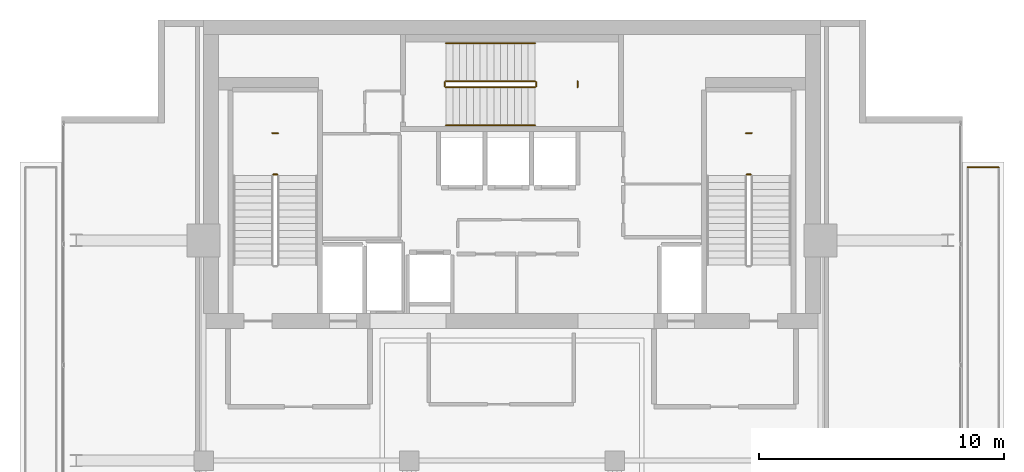
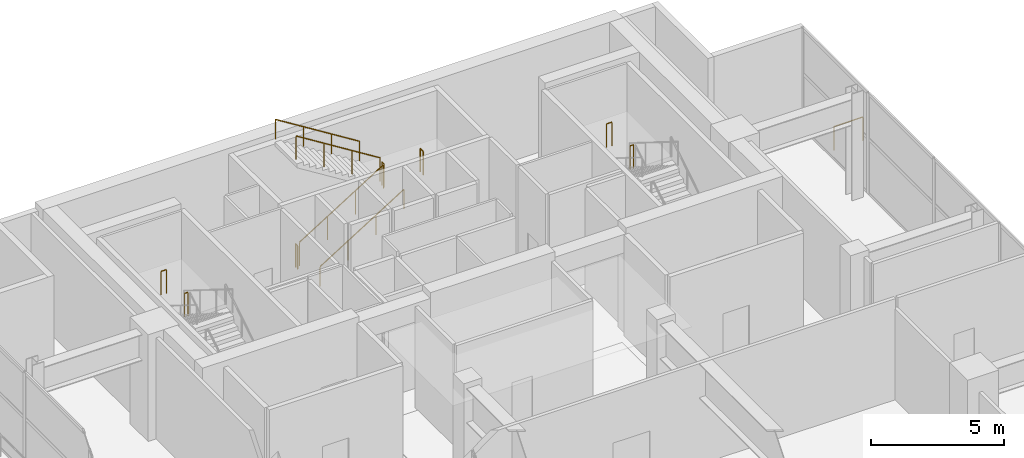
# One storey, part 22 of 22: 12 railings.
"""IFC4 building model written with IfcOpenShell, lengths in metres."""

from ifc_helpers import new_model, si_unit, direction, frame, origin, origin_2d, place, context, subcontext, project, spatial, circle, extrude, material, type_object, element, save


model = new_model("IFC4")

# Units and contexts
model_context = context("Model", 3, precision=1e-05, world=origin(), true_north=direction((0.0, 1.0)))
body_context = subcontext(model_context, "Body", "Model", "MODEL_VIEW")
ifc_project = project(units=[si_unit("LENGTHUNIT", "METRE"), si_unit("AREAUNIT", "SQUARE_METRE"), si_unit("VOLUMEUNIT", "CUBIC_METRE"), si_unit("PLANEANGLEUNIT", "RADIAN"), si_unit("MASSUNIT", "GRAM", prefix="KILO")], contexts=[model_context])

# Site, building, storey
site_placement = place(None, origin())
site = spatial("IfcSite", under=ifc_project, at=site_placement, CompositionType="ELEMENT")
building_placement = place(site_placement, origin())
building = spatial("IfcBuilding", under=site, at=building_placement, Name="Maruvema Waterfront Hotel and Observation Tower", CompositionType="ELEMENT")
storey_placement = place(building_placement, frame((0.0, 0.0, 354.199951171875)))
storey = spatial("IfcBuildingStorey", under=building, at=storey_placement, Name="L87", CompositionType="ELEMENT", Elevation=354.199951171875)

# Railings
ifc_material_1 = material(Name="Brushed stainless steel Grade 316", Category="steel")
railing_type_1 = type_object("IfcRailingType", Name="Ramp Continuous Wall Handrail 920 mm", PredefinedType="HANDRAIL", material=ifc_material_1)
railing_1_placement = place(storey_placement, frame((35.10009765625, 49.699951171875, 0.175048828125)))
element("IfcRailing", 1, at=railing_1_placement, inside=storey, type_object=railing_type_1, Name="L87 ST-02 stair handrail 1", PredefinedType="HANDRAIL", context=body_context, shape_type="SweptSolid", body=[
    extrude(circle(Radius=0.02392578125, at=origin_2d()), frame((0.0, 0.0, 0.89599609375), z_axis=(0.848001499411, 0.0, 0.52999382732), x_axis=(0.0, 1.0, 0.0)), (0.0, 0.0, 1.0), 4.292236328125),
    extrude(circle(Radius=0.02099609375, at=origin_2d()), origin(), (0.0, 0.0, 1.0), 0.871826171875),
    extrude(circle(Radius=0.02099609375, at=origin_2d()), frame((1.21337890625, 0.0, 0.75830078125)), (0.0, 0.0, 1.0), 0.871826171875),
    extrude(circle(Radius=0.02099609375, at=origin_2d()), frame((2.426513671875, 0.0, 1.5166015625)), (0.0, 0.0, 1.0), 0.871826171875),
    extrude(circle(Radius=0.02099609375, at=origin_2d()), frame((3.639892578125, 0.0, 2.27490234375)), (0.0, 0.0, 1.0), 0.871826171875),
])
railing_2_placement = place(storey_placement, frame((38.739990234375, 53.050048828125, 2.625)))
element("IfcRailing", 2, at=railing_2_placement, inside=storey, type_object=railing_type_1, Name="L87 ST-02 stair handrail 2", PredefinedType="HANDRAIL", context=body_context, shape_type="SweptSolid", body=[
    extrude(circle(Radius=0.02392578125, at=origin_2d()), frame((0.0, 0.0, 0.89599609375), z_axis=(-0.847975935976, 0.0, 0.530034727169), x_axis=(0.0, -1.0, 0.0)), (0.0, 0.0, 1.0), 4.29248046875),
    extrude(circle(Radius=0.02099609375, at=origin_2d()), origin(), (0.0, 0.0, 1.0), 0.871826171875),
    extrude(circle(Radius=0.02099609375, at=origin_2d()), frame((-1.21337890625, 0.0, 0.75830078125)), (0.0, 0.0, 1.0), 0.871826171875),
    extrude(circle(Radius=0.02099609375, at=origin_2d()), frame((-2.426513671875, 0.0, 1.516845703125)), (0.0, 0.0, 1.0), 0.871826171875),
    extrude(circle(Radius=0.02099609375, at=origin_2d()), frame((-3.639892578125, 0.0, 2.275146484375)), (0.0, 0.0, 1.0), 0.871826171875),
])
ifc_material_2 = material(Name="Brushed stainless steel Grade 316", Category="steel")
railing_type_2 = type_object("IfcRailingType", Name="Ramp and Terrace Guard Balustrade 1100 mm", PredefinedType="BALUSTRADE", material=ifc_material_2)
railing_3_placement = place(storey_placement, frame((28.199951171875, 47.68994140625, 2.449951171875)))
element("IfcRailing", 3, at=railing_3_placement, inside=storey, type_object=railing_type_2, Name="L87 ST-01 stair guard 2", PredefinedType="BALUSTRADE", context=body_context, shape_type="SweptSolid", body=[
    extrude(circle(Radius=0.02392578125, at=origin_2d()), frame((0.0, 0.0, 1.076171875), z_axis=(-1.0, 0.0, 0.0), x_axis=(0.0, -1.0, 0.0)), (0.0, 0.0, 1.0), 0.14990234375),
    extrude(circle(Radius=0.02099609375, at=origin_2d()), origin(), (0.0, 0.0, 1.0), 1.052001953125),
    extrude(circle(Radius=0.02099609375, at=origin_2d()), frame((-0.14990234375, 0.0, 0.0)), (0.0, 0.0, 1.0), 1.052001953125),
])
railing_4_placement = place(storey_placement, frame((28.239990234375, 49.3798828125, 2.449951171875)))
element("IfcRailing", 4, at=railing_4_placement, inside=storey, type_object=railing_type_2, Name="L87 ST-01 Half-Landing Slot Guard", PredefinedType="BALUSTRADE", context=body_context, shape_type="SweptSolid", body=[
    extrude(circle(Radius=0.02392578125, at=origin_2d()), frame((0.0, 0.0, 1.076171875), z_axis=(-1.0, 0.0, 0.0), x_axis=(0.0, -1.0, 0.0)), (0.0, 0.0, 1.0), 0.22998046875),
    extrude(circle(Radius=0.02099609375, at=origin_2d()), origin(), (0.0, 0.0, 1.0), 1.052001953125),
    extrude(circle(Radius=0.02099609375, at=origin_2d()), frame((-0.22998046875, 0.0, 0.0)), (0.0, 0.0, 1.0), 1.052001953125),
])
railing_5_placement = place(storey_placement, frame((35.10009765625, 51.25, 0.175048828125)))
element("IfcRailing", 5, at=railing_5_placement, inside=storey, type_object=railing_type_2, Name="L87 ST-02 stair guard 1", PredefinedType="BALUSTRADE", context=body_context, shape_type="SweptSolid", body=[
    extrude(circle(Radius=0.02392578125, at=origin_2d()), frame((0.0, 0.0, 1.076171875), z_axis=(0.848001499411, 0.0, 0.52999382732), x_axis=(0.0, 1.0, 0.0)), (0.0, 0.0, 1.0), 4.292236328125),
    extrude(circle(Radius=0.02099609375, at=origin_2d()), origin(), (0.0, 0.0, 1.0), 1.052001953125),
    extrude(circle(Radius=0.02099609375, at=origin_2d()), frame((1.21337890625, 0.0, 0.75830078125)), (0.0, 0.0, 1.0), 1.052001953125),
    extrude(circle(Radius=0.02099609375, at=origin_2d()), frame((2.426513671875, 0.0, 1.5166015625)), (0.0, 0.0, 1.0), 1.052001953125),
    extrude(circle(Radius=0.02099609375, at=origin_2d()), frame((3.639892578125, 0.0, 2.27490234375)), (0.0, 0.0, 1.0), 1.052001953125),
])
railing_6_placement = place(storey_placement, frame((38.7900390625, 51.300048828125, 2.449951171875)))
element("IfcRailing", 6, at=railing_6_placement, inside=storey, type_object=railing_type_2, Name="L87 ST-02 stair guard 2", PredefinedType="BALUSTRADE", context=body_context, shape_type="SweptSolid", body=[
    extrude(circle(Radius=0.02392578125, at=origin_2d()), frame((0.0, 0.0, 1.076171875), z_axis=(0.0, 1.0, 0.0), x_axis=(-1.0, 0.0, 0.0)), (0.0, 0.0, 1.0), 0.14990234375),
    extrude(circle(Radius=0.02099609375, at=origin_2d()), origin(), (0.0, 0.0, 1.0), 1.052001953125),
    extrude(circle(Radius=0.02099609375, at=origin_2d()), frame((0.0, 0.14990234375, 0.0)), (0.0, 0.0, 1.0), 1.052001953125),
])
railing_7_placement = place(storey_placement, frame((38.739990234375, 51.5, 2.625)))
element("IfcRailing", 7, at=railing_7_placement, inside=storey, type_object=railing_type_2, Name="L87 ST-02 stair guard 3", PredefinedType="BALUSTRADE", context=body_context, shape_type="SweptSolid", body=[
    extrude(circle(Radius=0.02392578125, at=origin_2d()), frame((0.0, 0.0, 1.076171875), z_axis=(-0.847975935976, 0.0, 0.530034727169), x_axis=(0.0, -1.0, 0.0)), (0.0, 0.0, 1.0), 4.29248046875),
    extrude(circle(Radius=0.02099609375, at=origin_2d()), origin(), (0.0, 0.0, 1.0), 1.052001953125),
    extrude(circle(Radius=0.02099609375, at=origin_2d()), frame((-1.21337890625, 0.0, 0.75830078125)), (0.0, 0.0, 1.0), 1.052001953125),
    extrude(circle(Radius=0.02099609375, at=origin_2d()), frame((-2.426513671875, 0.0, 1.516845703125)), (0.0, 0.0, 1.0), 1.052001953125),
    extrude(circle(Radius=0.02099609375, at=origin_2d()), frame((-3.639892578125, 0.0, 2.275146484375)), (0.0, 0.0, 1.0), 1.052001953125),
])
railing_8_placement = place(storey_placement, frame((35.050048828125, 51.300048828125, 0.0)))
element("IfcRailing", 8, at=railing_8_placement, inside=storey, type_object=railing_type_2, Name="L87 ST-02 stair guard 4", PredefinedType="BALUSTRADE", context=body_context, shape_type="SweptSolid", body=[
    extrude(circle(Radius=0.02392578125, at=origin_2d()), frame((0.0, 0.0, 1.076171875), z_axis=(0.0, 1.0, 0.0), x_axis=(-1.0, 0.0, 0.0)), (0.0, 0.0, 1.0), 0.14990234375),
    extrude(circle(Radius=0.02099609375, at=origin_2d()), origin(), (0.0, 0.0, 1.0), 1.052001953125),
    extrude(circle(Radius=0.02099609375, at=origin_2d()), frame((0.0, 0.14990234375, 0.0)), (0.0, 0.0, 1.0), 1.052001953125),
])
railing_9_placement = place(storey_placement, frame((40.47998046875, 51.260009765625, 2.449951171875)))
element("IfcRailing", 9, at=railing_9_placement, inside=storey, type_object=railing_type_2, Name="L87 ST-02 Half-Landing Slot Guard", PredefinedType="BALUSTRADE", context=body_context, shape_type="SweptSolid", body=[
    extrude(circle(Radius=0.02392578125, at=origin_2d()), frame((0.0, 0.0, 1.076171875), z_axis=(0.0, 1.0, 0.0), x_axis=(-1.0, 0.0, 0.0)), (0.0, 0.0, 1.0), 0.22998046875),
    extrude(circle(Radius=0.02099609375, at=origin_2d()), origin(), (0.0, 0.0, 1.0), 1.052001953125),
    extrude(circle(Radius=0.02099609375, at=origin_2d()), frame((0.0, 0.22998046875, 0.0)), (0.0, 0.0, 1.0), 1.052001953125),
])
railing_10_placement = place(storey_placement, frame((47.550048828125, 47.68994140625, 2.449951171875)))
element("IfcRailing", 10, at=railing_10_placement, inside=storey, type_object=railing_type_2, Name="L87 ST-03 stair guard 2", PredefinedType="BALUSTRADE", context=body_context, shape_type="SweptSolid", body=[
    extrude(circle(Radius=0.02392578125, at=origin_2d()), frame((0.0, 0.0, 1.076171875), z_axis=(-1.0, 0.0, 0.0), x_axis=(0.0, -1.0, 0.0)), (0.0, 0.0, 1.0), 0.150146484375),
    extrude(circle(Radius=0.02099609375, at=origin_2d()), origin(), (0.0, 0.0, 1.0), 1.052001953125),
    extrude(circle(Radius=0.02099609375, at=origin_2d()), frame((-0.150146484375, 0.0, 0.0)), (0.0, 0.0, 1.0), 1.052001953125),
])
railing_11_placement = place(storey_placement, frame((47.590087890625, 49.3798828125, 2.449951171875)))
element("IfcRailing", 11, at=railing_11_placement, inside=storey, type_object=railing_type_2, Name="L87 ST-03 Half-Landing Slot Guard", PredefinedType="BALUSTRADE", context=body_context, shape_type="SweptSolid", body=[
    extrude(circle(Radius=0.02392578125, at=origin_2d()), frame((0.0, 0.0, 1.076171875), z_axis=(-1.0, 0.0, 0.0), x_axis=(0.0, -1.0, 0.0)), (0.0, 0.0, 1.0), 0.22998046875),
    extrude(circle(Radius=0.02099609375, at=origin_2d()), origin(), (0.0, 0.0, 1.0), 1.052001953125),
    extrude(circle(Radius=0.02099609375, at=origin_2d()), frame((-0.22998046875, 0.0, 0.0)), (0.0, 0.0, 1.0), 1.052001953125),
])
railing_12_placement = place(storey_placement, frame((56.419921875, 47.97998046875, 0.0)))
element("IfcRailing", 12, at=railing_12_placement, inside=storey, type_object=railing_type_2, Name="L87 Perimeter Safety Balustrade 4", PredefinedType="BALUSTRADE", context=body_context, shape_type="SweptSolid", body=[
    extrude(circle(Radius=0.02392578125, at=origin_2d()), frame((0.0, 0.0, 1.076171875), z_axis=(1.0, 0.0, 0.0), x_axis=(0.0, 1.0, 0.0)), (0.0, 0.0, 1.0), 1.260009765625),
    extrude(circle(Radius=0.02099609375, at=origin_2d()), origin(), (0.0, 0.0, 1.0), 1.052001953125),
    extrude(circle(Radius=0.02099609375, at=origin_2d()), frame((1.260009765625, 0.0, 0.0)), (0.0, 0.0, 1.0), 1.052001953125),
])

save(model, "model.ifc")
